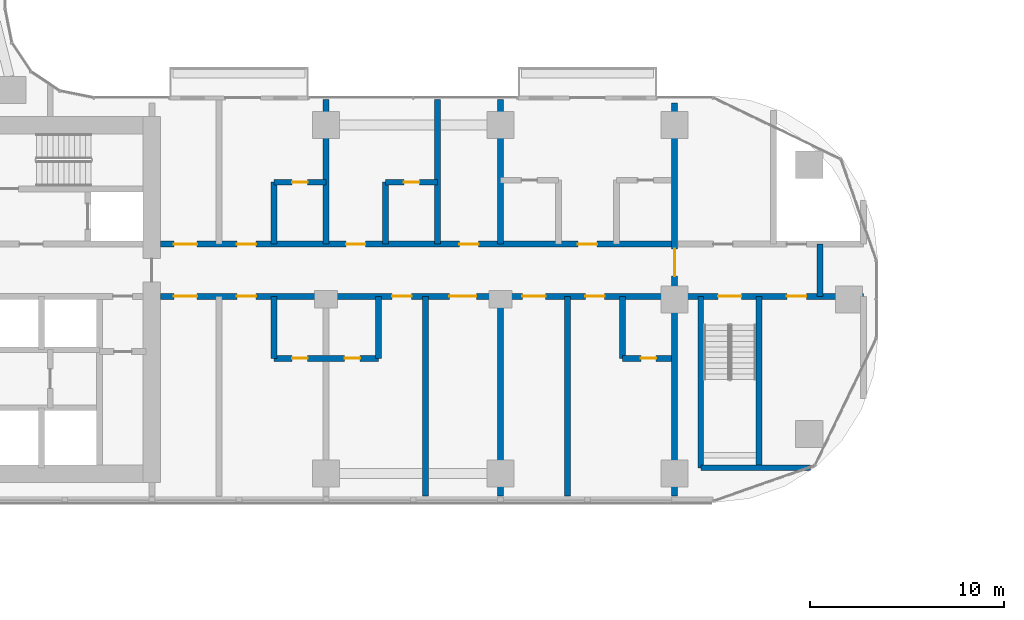
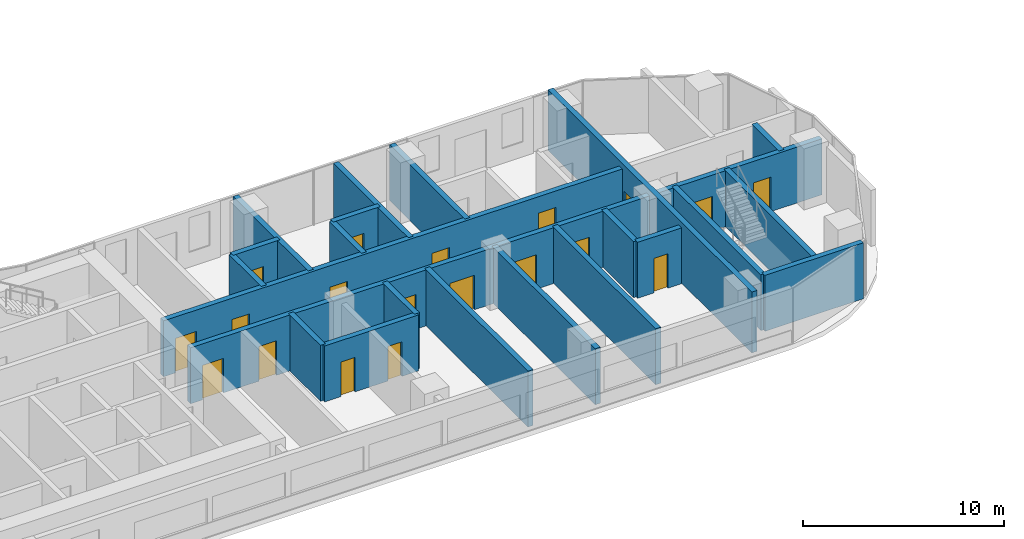
# One storey, part 16 of 31: 23 walls, 19 doors, 19 openings.
"""IFC4 building model written with IfcOpenShell, lengths in metres."""

from ifc_helpers import new_model, si_unit, direction, frame, frame_2d, origin, place, context, subcontext, project, spatial, rectangle, extrude, material, layer, layer_set, type_object, element, fill, save


model = new_model("IFC4")

# Units and contexts
model_context = context("Model", 3, precision=1e-05, world=origin(), true_north=direction((0.0, 1.0)))
body_context = subcontext(model_context, "Body", "Model", "MODEL_VIEW")
ifc_project = project(units=[si_unit("LENGTHUNIT", "METRE"), si_unit("AREAUNIT", "SQUARE_METRE"), si_unit("VOLUMEUNIT", "CUBIC_METRE"), si_unit("PLANEANGLEUNIT", "RADIAN"), si_unit("MASSUNIT", "GRAM", prefix="KILO")], contexts=[model_context])

# Site, building, storey
site_placement = place(None, origin())
site = spatial("IfcSite", under=ifc_project, at=site_placement, CompositionType="ELEMENT")
building_placement = place(site_placement, origin())
building = spatial("IfcBuilding", under=site, at=building_placement, Name="Ogive Portal Towers", CompositionType="ELEMENT")
storey_placement = place(building_placement, frame((0.0, 0.0, 74.199951171875)))
storey = spatial("IfcBuildingStorey", under=building, at=storey_placement, Name="L17", CompositionType="ELEMENT", Elevation=74.199951171875)

# Wall, opening, door
ifc_material_1 = material(Name="Concrete C60/75", Category="concrete")
ifc_layer_1 = layer(ifc_material_1, 0.300048828125)
ifc_layer_set_1 = layer_set([ifc_layer_1], Name="REVEAL WALL 300 C60")
wall_type_1 = type_object("IfcWallType", Name="REVEAL WALL 300 C60", PredefinedType="SHEAR", material=ifc_layer_set_1)
wall_1_placement = place(storey_placement, frame((85.5, 20.35009765625, 0.0), z_axis=(0.0, 0.0, 1.0), x_axis=(0.0, 1.0, 0.0)))
wall_1 = element("IfcWall", 1, at=wall_1_placement, inside=storey, type_object=wall_type_1, Name="Portal reveal wall L17", PredefinedType="SHEAR", context=body_context, shape_type="SweptSolid", body=[
    extrude(rectangle(XDim=20.2998046875, YDim=0.300048828125, at=frame_2d((10.14990234375, 0.0))), origin(), (0.0, 0.0, 1.0), 3.699951171875),
])
opening_1_placement = place(wall_1_placement, frame((11.35009765625, 0.0, 0.0)))
opening_1 = element("IfcOpeningElement", 2, at=opening_1_placement, cuts=wall_1, Name="Opening D05-066", PredefinedType="OPENING", context=body_context, shape_type="SweptSolid", body=[
    extrude(rectangle(XDim=1.39990234375, YDim=2.10009765625, at=frame_2d((0.699951171875, 1.050048828125))), frame((0.0, 0.16015625, 0.0), z_axis=(0.0, -1.0, 0.0), x_axis=(1.0, 0.0, 0.0)), (0.0, 0.0, 1.0), 0.320068359375),
])
ifc_material_2 = material(Name="Steel fire door", Category="steel")
door_type_1 = type_object("IfcDoorType", Name="DT-STAIR-1400x2100-FD90S", OperationType="SINGLE_SWING_LEFT", PredefinedType="DOOR", material=ifc_material_2)
door_1_placement = place(opening_1_placement, origin())
door_1 = element("IfcDoor", 3, at=door_1_placement, inside=storey, type_object=door_type_1, Name="Door D05-066", OperationType="SINGLE_SWING_RIGHT", OverallHeight=2.10009765625, OverallWidth=1.39990234375, PredefinedType="DOOR", context=body_context, shape_type="SweptSolid", body=[
    extrude(rectangle(XDim=1.39990234375, YDim=2.10009765625, at=frame_2d((0.699951171875, 1.050048828125))), frame((0.0, 0.02490234375, 0.0), z_axis=(0.0, -1.0, 0.0), x_axis=(1.0, 0.0, 0.0)), (0.0, 0.0, 1.0), 0.050048828125),
])
fill(opening_1, door_1)

# Wall
ifc_material_3 = material(Name="Concrete C50/60", Category="concrete")
ifc_layer_2 = layer(ifc_material_3, 0.300048828125)
ifc_layer_set_2 = layer_set([ifc_layer_2], Name="STAIR WALL 300 C50")
wall_type_2 = type_object("IfcWallType", Name="STAIR WALL 300 C50", PredefinedType="SHEAR", material=ifc_layer_set_2)
wall_2_placement = place(storey_placement, frame((86.85009765625, 21.800048828125, 0.0), z_axis=(0.0, 0.0, 1.0), x_axis=(1.0, 0.0, 0.0)))
element("IfcWall", 4, at=wall_2_placement, inside=storey, type_object=wall_type_2, Name="Stair wall ST-A4 L17", PredefinedType="SHEAR", context=body_context, shape_type="SweptSolid", body=[
    extrude(rectangle(XDim=5.664794921875, YDim=0.300048828125, at=frame_2d((2.83251953125, 0.0))), origin(), (0.0, 0.0, 1.0), 3.400146484375),
])

# Wall, openings, doors
wall_3_placement = place(storey_placement, frame((85.669921875, 30.64990234375, 0.0), z_axis=(0.0, 0.0, 1.0), x_axis=(1.0, 0.0, 0.0)))
wall_3 = element("IfcWall", 5, at=wall_3_placement, inside=storey, type_object=wall_type_2, Name="Stair wall ST-A4 L17", PredefinedType="SHEAR", context=body_context, shape_type="SweptSolid", body=[
    extrude(rectangle(XDim=9.580078125, YDim=0.300048828125, at=frame_2d((4.7900390625, 0.0))), origin(), (0.0, 0.0, 1.0), 3.400146484375),
])
opening_2_placement = place(wall_3_placement, frame((2.080078125, 0.0, 0.0)))
opening_2 = element("IfcOpeningElement", 6, at=opening_2_placement, cuts=wall_3, Name="Opening D05-061", PredefinedType="OPENING", context=body_context, shape_type="SweptSolid", body=[
    extrude(rectangle(XDim=1.199951171875, YDim=2.10009765625, at=frame_2d((0.60009765625, 1.050048828125))), frame((0.0, 0.16015625, 0.0), z_axis=(0.0, -1.0, 0.0), x_axis=(1.0, 0.0, 0.0)), (0.0, 0.0, 1.0), 0.320068359375),
])
opening_3_placement = place(wall_3_placement, frame((5.6298828125, 0.0, 0.0)))
opening_3 = element("IfcOpeningElement", 7, at=opening_3_placement, cuts=wall_3, Name="Opening D05-064", PredefinedType="OPENING", context=body_context, shape_type="SweptSolid", body=[
    extrude(rectangle(XDim=1.0, YDim=2.10009765625, at=frame_2d((0.5, 1.050048828125))), frame((0.0, 0.16015625, 0.0), z_axis=(0.0, -1.0, 0.0), x_axis=(1.0, 0.0, 0.0)), (0.0, 0.0, 1.0), 0.320068359375),
])
door_type_2 = type_object("IfcDoorType", Name="DT-SERVICE-1000x2100-FD90S", OperationType="SINGLE_SWING_LEFT", PredefinedType="DOOR", material=ifc_material_2)
door_2_placement = place(opening_3_placement, origin())
door_2 = element("IfcDoor", 8, at=door_2_placement, inside=storey, type_object=door_type_2, Name="Door D05-064", OperationType="SINGLE_SWING_LEFT", OverallHeight=2.10009765625, OverallWidth=1.0, PredefinedType="DOOR", context=body_context, shape_type="SweptSolid", body=[
    extrude(rectangle(XDim=1.0, YDim=2.10009765625, at=frame_2d((0.5, 1.050048828125))), frame((0.0, 0.02490234375, 0.0), z_axis=(0.0, -1.0, 0.0), x_axis=(1.0, 0.0, 0.0)), (0.0, 0.0, 1.0), 0.050048828125),
])
fill(opening_3, door_2)
door_type_3 = type_object("IfcDoorType", Name="DT-STAIR-1200x2100-FD90S", OperationType="SINGLE_SWING_LEFT", PredefinedType="DOOR", material=ifc_material_2)
door_3_placement = place(opening_2_placement, origin())
door_3 = element("IfcDoor", 9, at=door_3_placement, inside=storey, type_object=door_type_3, Name="Door D05-061", OperationType="SINGLE_SWING_LEFT", OverallHeight=2.10009765625, OverallWidth=1.199951171875, PredefinedType="DOOR", context=body_context, shape_type="SweptSolid", body=[
    extrude(rectangle(XDim=1.199951171875, YDim=2.10009765625, at=frame_2d((0.60009765625, 1.050048828125))), frame((0.0, 0.02490234375, 0.0), z_axis=(0.0, -1.0, 0.0), x_axis=(1.0, 0.0, 0.0)), (0.0, 0.0, 1.0), 0.050048828125),
])
fill(opening_2, door_3)

# Walls
for number, where, z_axis, x_axis, name in (
    (10, (86.85009765625, 21.800048828125, 0.0), (0.0, 0.0, 1.0), (0.0, 1.0, 0.0), "Stair wall ST-A4 L17"),
    (11, (89.85009765625, 21.800048828125, 0.0), (0.0, 0.0, 1.0), (0.0, 1.0, 0.0), "Stair wall ST-A4 L17"),
):
    element("IfcWall", number, at=place(storey_placement, frame(where, z_axis=z_axis, x_axis=x_axis)), inside=storey, type_object=wall_type_2, Name=name, PredefinedType="SHEAR", context=body_context, shape_type="SweptSolid", body=[
        extrude(rectangle(XDim=8.849853515625, YDim=0.300048828125, at=frame_2d((4.4248046875, 0.0))), origin(), (0.0, 0.0, 1.0), 3.400146484375),
    ])

# Wall, openings, doors
ifc_material_4 = material(Name="Gypsum board partition on steel studs", Category="steel")
ifc_layer_3 = layer(ifc_material_4, 0.300048828125)
ifc_layer_set_3 = layer_set([ifc_layer_3], Name="WT-PART-300-EI 120")
wall_type_3 = type_object("IfcWallType", Name="WT-PART-300-EI 120", PredefinedType="PARTITIONING", material=ifc_layer_set_3)
wall_4_placement = place(storey_placement, frame((58.949951171875, 30.64990234375, 0.0), z_axis=(0.0, 0.0, 1.0), x_axis=(1.0, 0.0, 0.0)))
wall_4 = element("IfcWall", 12, at=wall_4_placement, inside=storey, type_object=wall_type_3, Name="Wall L17:w004", PredefinedType="PARTITIONING", context=body_context, shape_type="SweptSolid", body=[
    extrude(rectangle(XDim=26.380126953125, YDim=0.300048828125, at=frame_2d((13.18994140625, 0.0))), origin(), (0.0, 0.0, 1.0), 3.400146484375),
])
opening_4_placement = place(wall_4_placement, frame((0.68505859375, 0.0, 0.0)))
opening_4 = element("IfcOpeningElement", 13, at=opening_4_placement, cuts=wall_4, Name="Opening D05-029", PredefinedType="OPENING", context=body_context, shape_type="SweptSolid", body=[
    extrude(rectangle(XDim=1.199951171875, YDim=2.10009765625, at=frame_2d((0.60009765625, 1.050048828125))), frame((0.0, 0.16015625, 0.0), z_axis=(0.0, -1.0, 0.0), x_axis=(1.0, 0.0, 0.0)), (0.0, 0.0, 1.0), 0.320068359375),
])
opening_5_placement = place(wall_4_placement, frame((3.93505859375, 0.0, 0.0)))
opening_5 = element("IfcOpeningElement", 14, at=opening_5_placement, cuts=wall_4, Name="Opening D05-031", PredefinedType="OPENING", context=body_context, shape_type="SweptSolid", body=[
    extrude(rectangle(XDim=1.0, YDim=2.10009765625, at=frame_2d((0.5, 1.050048828125))), frame((0.0, 0.16015625, 0.0), z_axis=(0.0, -1.0, 0.0), x_axis=(1.0, 0.0, 0.0)), (0.0, 0.0, 1.0), 0.320068359375),
])
opening_6_placement = place(wall_4_placement, frame((11.965087890625, 0.0, 0.0)))
opening_6 = element("IfcOpeningElement", 15, at=opening_6_placement, cuts=wall_4, Name="Opening D05-036", PredefinedType="OPENING", context=body_context, shape_type="SweptSolid", body=[
    extrude(rectangle(XDim=1.0, YDim=2.10009765625, at=frame_2d((0.5, 1.050048828125))), frame((0.0, 0.16015625, 0.0), z_axis=(0.0, -1.0, 0.0), x_axis=(1.0, 0.0, 0.0)), (0.0, 0.0, 1.0), 0.320068359375),
])
opening_7_placement = place(wall_4_placement, frame((14.9150390625, 0.0, 0.0)))
opening_7 = element("IfcOpeningElement", 16, at=opening_7_placement, cuts=wall_4, Name="Opening D05-037", PredefinedType="OPENING", context=body_context, shape_type="SweptSolid", body=[
    extrude(rectangle(XDim=1.39990234375, YDim=2.10009765625, at=frame_2d((0.699951171875, 1.050048828125))), frame((0.0, 0.16015625, 0.0), z_axis=(0.0, -1.0, 0.0), x_axis=(1.0, 0.0, 0.0)), (0.0, 0.0, 1.0), 0.320068359375),
])
opening_8_placement = place(wall_4_placement, frame((18.68505859375, 0.0, 0.0)))
opening_8 = element("IfcOpeningElement", 17, at=opening_8_placement, cuts=wall_4, Name="Opening D05-041", PredefinedType="OPENING", context=body_context, shape_type="SweptSolid", body=[
    extrude(rectangle(XDim=1.199951171875, YDim=2.10009765625, at=frame_2d((0.60009765625, 1.050048828125))), frame((0.0, 0.16015625, 0.0), z_axis=(0.0, -1.0, 0.0), x_axis=(1.0, 0.0, 0.0)), (0.0, 0.0, 1.0), 0.320068359375),
])
opening_9_placement = place(wall_4_placement, frame((21.93505859375, 0.0, 0.0)))
opening_9 = element("IfcOpeningElement", 18, at=opening_9_placement, cuts=wall_4, Name="Opening D05-043", PredefinedType="OPENING", context=body_context, shape_type="SweptSolid", body=[
    extrude(rectangle(XDim=1.0, YDim=2.10009765625, at=frame_2d((0.5, 1.050048828125))), frame((0.0, 0.16015625, 0.0), z_axis=(0.0, -1.0, 0.0), x_axis=(1.0, 0.0, 0.0)), (0.0, 0.0, 1.0), 0.320068359375),
])
door_type_4 = type_object("IfcDoorType", Name="DT-ENTRY-1000x2100-FD90S", OperationType="SINGLE_SWING_LEFT", PredefinedType="DOOR", material=ifc_material_2)
door_4_placement = place(opening_5_placement, origin())
door_4 = element("IfcDoor", 19, at=door_4_placement, inside=storey, type_object=door_type_4, Name="Door D05-031", OperationType="SINGLE_SWING_LEFT", OverallHeight=2.10009765625, OverallWidth=1.0, PredefinedType="DOOR", context=body_context, shape_type="SweptSolid", body=[
    extrude(rectangle(XDim=1.0, YDim=2.10009765625, at=frame_2d((0.5, 1.050048828125))), frame((0.0, 0.02490234375, 0.0), z_axis=(0.0, -1.0, 0.0), x_axis=(1.0, 0.0, 0.0)), (0.0, 0.0, 1.0), 0.050048828125),
])
fill(opening_5, door_4)
door_5_placement = place(opening_6_placement, origin())
door_5 = element("IfcDoor", 20, at=door_5_placement, inside=storey, type_object=door_type_4, Name="Door D05-036", OperationType="SINGLE_SWING_LEFT", OverallHeight=2.10009765625, OverallWidth=1.0, PredefinedType="DOOR", context=body_context, shape_type="SweptSolid", body=[
    extrude(rectangle(XDim=1.0, YDim=2.10009765625, at=frame_2d((0.5, 1.050048828125))), frame((0.0, 0.02490234375, 0.0), z_axis=(0.0, -1.0, 0.0), x_axis=(1.0, 0.0, 0.0)), (0.0, 0.0, 1.0), 0.050048828125),
])
fill(opening_6, door_5)
door_6_placement = place(opening_9_placement, origin())
door_6 = element("IfcDoor", 21, at=door_6_placement, inside=storey, type_object=door_type_4, Name="Door D05-043", OperationType="SINGLE_SWING_LEFT", OverallHeight=2.10009765625, OverallWidth=1.0, PredefinedType="DOOR", context=body_context, shape_type="SweptSolid", body=[
    extrude(rectangle(XDim=1.0, YDim=2.10009765625, at=frame_2d((0.5, 1.050048828125))), frame((0.0, 0.02490234375, 0.0), z_axis=(0.0, -1.0, 0.0), x_axis=(1.0, 0.0, 0.0)), (0.0, 0.0, 1.0), 0.050048828125),
])
fill(opening_9, door_6)
door_type_5 = type_object("IfcDoorType", Name="DT-ENTRY-1200x2100-FD90S", OperationType="SINGLE_SWING_LEFT", PredefinedType="DOOR", material=ifc_material_2)
door_7_placement = place(opening_4_placement, origin())
door_7 = element("IfcDoor", 22, at=door_7_placement, inside=storey, type_object=door_type_5, Name="Door D05-029", OperationType="SINGLE_SWING_LEFT", OverallHeight=2.10009765625, OverallWidth=1.199951171875, PredefinedType="DOOR", context=body_context, shape_type="SweptSolid", body=[
    extrude(rectangle(XDim=1.199951171875, YDim=2.10009765625, at=frame_2d((0.60009765625, 1.050048828125))), frame((0.0, 0.02490234375, 0.0), z_axis=(0.0, -1.0, 0.0), x_axis=(1.0, 0.0, 0.0)), (0.0, 0.0, 1.0), 0.050048828125),
])
fill(opening_4, door_7)
door_8_placement = place(opening_8_placement, origin())
door_8 = element("IfcDoor", 23, at=door_8_placement, inside=storey, type_object=door_type_5, Name="Door D05-041", OperationType="SINGLE_SWING_LEFT", OverallHeight=2.10009765625, OverallWidth=1.199951171875, PredefinedType="DOOR", context=body_context, shape_type="SweptSolid", body=[
    extrude(rectangle(XDim=1.199951171875, YDim=2.10009765625, at=frame_2d((0.60009765625, 1.050048828125))), frame((0.0, 0.02490234375, 0.0), z_axis=(0.0, -1.0, 0.0), x_axis=(1.0, 0.0, 0.0)), (0.0, 0.0, 1.0), 0.050048828125),
])
fill(opening_8, door_8)
door_type_6 = type_object("IfcDoorType", Name="DT-ENTRY-1400x2100-FD90S", OperationType="SINGLE_SWING_LEFT", PredefinedType="DOOR", material=ifc_material_2)
door_9_placement = place(opening_7_placement, origin())
door_9 = element("IfcDoor", 24, at=door_9_placement, inside=storey, type_object=door_type_6, Name="Door D05-037", OperationType="SINGLE_SWING_RIGHT", OverallHeight=2.10009765625, OverallWidth=1.39990234375, PredefinedType="DOOR", context=body_context, shape_type="SweptSolid", body=[
    extrude(rectangle(XDim=1.39990234375, YDim=2.10009765625, at=frame_2d((0.699951171875, 1.050048828125))), frame((0.0, 0.02490234375, 0.0), z_axis=(0.0, -1.0, 0.0), x_axis=(1.0, 0.0, 0.0)), (0.0, 0.0, 1.0), 0.050048828125),
])
fill(opening_7, door_9)

wall_5_placement = place(storey_placement, frame((58.949951171875, 33.35009765625, 0.0), z_axis=(0.0, 0.0, 1.0), x_axis=(1.0, 0.0, 0.0)))
wall_5 = element("IfcWall", 25, at=wall_5_placement, inside=storey, type_object=wall_type_3, Name="Wall L17:w006", PredefinedType="PARTITIONING", context=body_context, shape_type="SweptSolid", body=[
    extrude(rectangle(XDim=26.380126953125, YDim=0.300048828125, at=frame_2d((13.18994140625, 0.0))), origin(), (0.0, 0.0, 1.0), 3.400146484375),
])
opening_10_placement = place(wall_5_placement, frame((0.68505859375, 0.0, 0.0)))
opening_10 = element("IfcOpeningElement", 26, at=opening_10_placement, cuts=wall_5, Name="Opening D05-026", PredefinedType="OPENING", context=body_context, shape_type="SweptSolid", body=[
    extrude(rectangle(XDim=1.199951171875, YDim=2.10009765625, at=frame_2d((0.60009765625, 1.050048828125))), frame((0.0, 0.16015625, 0.0), z_axis=(0.0, -1.0, 0.0), x_axis=(1.0, 0.0, 0.0)), (0.0, 0.0, 1.0), 0.320068359375),
])
opening_11_placement = place(wall_5_placement, frame((3.93505859375, 0.0, 0.0)))
opening_11 = element("IfcOpeningElement", 27, at=opening_11_placement, cuts=wall_5, Name="Opening D05-028", PredefinedType="OPENING", context=body_context, shape_type="SweptSolid", body=[
    extrude(rectangle(XDim=1.0, YDim=2.10009765625, at=frame_2d((0.5, 1.050048828125))), frame((0.0, 0.16015625, 0.0), z_axis=(0.0, -1.0, 0.0), x_axis=(1.0, 0.0, 0.0)), (0.0, 0.0, 1.0), 0.320068359375),
])
opening_12_placement = place(wall_5_placement, frame((9.580078125, 0.0, 0.0)))
opening_12 = element("IfcOpeningElement", 28, at=opening_12_placement, cuts=wall_5, Name="Opening D05-033", PredefinedType="OPENING", context=body_context, shape_type="SweptSolid", body=[
    extrude(rectangle(XDim=1.0, YDim=2.10009765625, at=frame_2d((0.5, 1.050048828125))), frame((0.0, 0.16015625, 0.0), z_axis=(0.0, -1.0, 0.0), x_axis=(1.0, 0.0, 0.0)), (0.0, 0.0, 1.0), 0.320068359375),
])
opening_13_placement = place(wall_5_placement, frame((15.429931640625, 0.0, 0.0)))
opening_13 = element("IfcOpeningElement", 29, at=opening_13_placement, cuts=wall_5, Name="Opening D05-034", PredefinedType="OPENING", context=body_context, shape_type="SweptSolid", body=[
    extrude(rectangle(XDim=1.0, YDim=2.10009765625, at=frame_2d((0.5, 1.050048828125))), frame((0.0, 0.16015625, 0.0), z_axis=(0.0, -1.0, 0.0), x_axis=(1.0, 0.0, 0.0)), (0.0, 0.0, 1.0), 0.320068359375),
])
opening_14_placement = place(wall_5_placement, frame((21.550048828125, 0.0, 0.0)))
opening_14 = element("IfcOpeningElement", 30, at=opening_14_placement, cuts=wall_5, Name="Opening D05-040", PredefinedType="OPENING", context=body_context, shape_type="SweptSolid", body=[
    extrude(rectangle(XDim=1.0, YDim=2.39990234375, at=frame_2d((0.5, 1.199951171875))), frame((0.0, 0.16015625, 0.0), z_axis=(0.0, -1.0, 0.0), x_axis=(1.0, 0.0, 0.0)), (0.0, 0.0, 1.0), 0.320068359375),
])
door_10_placement = place(opening_11_placement, origin())
door_10 = element("IfcDoor", 31, at=door_10_placement, inside=storey, type_object=door_type_4, Name="Door D05-028", OperationType="SINGLE_SWING_LEFT", OverallHeight=2.10009765625, OverallWidth=1.0, PredefinedType="DOOR", context=body_context, shape_type="SweptSolid", body=[
    extrude(rectangle(XDim=1.0, YDim=2.10009765625, at=frame_2d((0.5, 1.050048828125))), frame((0.0, 0.02490234375, 0.0), z_axis=(0.0, -1.0, 0.0), x_axis=(1.0, 0.0, 0.0)), (0.0, 0.0, 1.0), 0.050048828125),
])
fill(opening_11, door_10)
door_11_placement = place(opening_12_placement, origin())
door_11 = element("IfcDoor", 32, at=door_11_placement, inside=storey, type_object=door_type_4, Name="Door D05-033", OperationType="SINGLE_SWING_LEFT", OverallHeight=2.10009765625, OverallWidth=1.0, PredefinedType="DOOR", context=body_context, shape_type="SweptSolid", body=[
    extrude(rectangle(XDim=1.0, YDim=2.10009765625, at=frame_2d((0.5, 1.050048828125))), frame((0.0, 0.02490234375, 0.0), z_axis=(0.0, -1.0, 0.0), x_axis=(1.0, 0.0, 0.0)), (0.0, 0.0, 1.0), 0.050048828125),
])
fill(opening_12, door_11)
door_12_placement = place(opening_13_placement, origin())
door_12 = element("IfcDoor", 33, at=door_12_placement, inside=storey, type_object=door_type_4, Name="Door D05-034", OperationType="SINGLE_SWING_RIGHT", OverallHeight=2.10009765625, OverallWidth=1.0, PredefinedType="DOOR", context=body_context, shape_type="SweptSolid", body=[
    extrude(rectangle(XDim=1.0, YDim=2.10009765625, at=frame_2d((0.5, 1.050048828125))), frame((0.0, 0.02490234375, 0.0), z_axis=(0.0, -1.0, 0.0), x_axis=(1.0, 0.0, 0.0)), (0.0, 0.0, 1.0), 0.050048828125),
])
fill(opening_13, door_12)
door_type_7 = type_object("IfcDoorType", Name="DT-ENTRY-1000x2400-FD90S", OperationType="SINGLE_SWING_LEFT", PredefinedType="DOOR", material=ifc_material_2)
door_13_placement = place(opening_14_placement, origin())
door_13 = element("IfcDoor", 34, at=door_13_placement, inside=storey, type_object=door_type_7, Name="Door D05-040", OperationType="SINGLE_SWING_LEFT", OverallHeight=2.39990234375, OverallWidth=1.0, PredefinedType="DOOR", context=body_context, shape_type="SweptSolid", body=[
    extrude(rectangle(XDim=1.0, YDim=2.39990234375, at=frame_2d((0.5, 1.199951171875))), frame((0.0, 0.02490234375, 0.0), z_axis=(0.0, -1.0, 0.0), x_axis=(1.0, 0.0, 0.0)), (0.0, 0.0, 1.0), 0.050048828125),
])
fill(opening_14, door_13)
door_14_placement = place(opening_10_placement, origin())
door_14 = element("IfcDoor", 35, at=door_14_placement, inside=storey, type_object=door_type_5, Name="Door D05-026", OperationType="SINGLE_SWING_LEFT", OverallHeight=2.10009765625, OverallWidth=1.199951171875, PredefinedType="DOOR", context=body_context, shape_type="SweptSolid", body=[
    extrude(rectangle(XDim=1.199951171875, YDim=2.10009765625, at=frame_2d((0.60009765625, 1.050048828125))), frame((0.0, 0.02490234375, 0.0), z_axis=(0.0, -1.0, 0.0), x_axis=(1.0, 0.0, 0.0)), (0.0, 0.0, 1.0), 0.050048828125),
])
fill(opening_10, door_14)

# Wall
wall_6_placement = place(storey_placement, frame((93.0, 30.64990234375, 0.0), z_axis=(0.0, 0.0, 1.0), x_axis=(0.0, 1.0, 0.0)))
element("IfcWall", 36, at=wall_6_placement, inside=storey, type_object=wall_type_3, Name="Wall L17:w064", PredefinedType="PARTITIONING", context=body_context, shape_type="SweptSolid", body=[
    extrude(rectangle(XDim=2.7001953125, YDim=0.300048828125, at=frame_2d((1.35009765625, 0.0))), origin(), (0.0, 0.0, 1.0), 3.400146484375),
])

# Wall, openings, doors
ifc_layer_4 = layer(ifc_material_4, 0.300048828125)
ifc_layer_set_4 = layer_set([ifc_layer_4], Name="WT-PART-300-EI 60")
wall_type_4 = type_object("IfcWallType", Name="WT-PART-300-EI 60", PredefinedType="PARTITIONING", material=ifc_layer_set_4)
wall_7_placement = place(storey_placement, frame((64.800048828125, 27.449951171875, 0.0), z_axis=(0.0, 0.0, 1.0), x_axis=(1.0, 0.0, 0.0)))
wall_7 = element("IfcWall", 37, at=wall_7_placement, inside=storey, type_object=wall_type_4, Name="Wall L17:w002", PredefinedType="PARTITIONING", context=body_context, shape_type="SweptSolid", body=[
    extrude(rectangle(XDim=5.39990234375, YDim=0.300048828125, at=frame_2d((2.699951171875, 0.0))), origin(), (0.0, 0.0, 1.0), 3.400146484375),
])
opening_15_placement = place(wall_7_placement, frame((0.949951171875, 0.0, 0.0)))
opening_15 = element("IfcOpeningElement", 38, at=opening_15_placement, cuts=wall_7, Name="Opening D05-030", PredefinedType="OPENING", context=body_context, shape_type="SweptSolid", body=[
    extrude(rectangle(XDim=0.800048828125, YDim=2.10009765625, at=frame_2d((0.39990234375, 1.050048828125))), frame((0.0, 0.16015625, 0.0), z_axis=(0.0, -1.0, 0.0), x_axis=(1.0, 0.0, 0.0)), (0.0, 0.0, 1.0), 0.320068359375),
])
opening_16_placement = place(wall_7_placement, frame((3.64990234375, 0.0, 0.0)))
opening_16 = element("IfcOpeningElement", 39, at=opening_16_placement, cuts=wall_7, Name="Opening D05-035", PredefinedType="OPENING", context=body_context, shape_type="SweptSolid", body=[
    extrude(rectangle(XDim=0.800048828125, YDim=2.10009765625, at=frame_2d((0.39990234375, 1.050048828125))), frame((0.0, 0.16015625, 0.0), z_axis=(0.0, -1.0, 0.0), x_axis=(1.0, 0.0, 0.0)), (0.0, 0.0, 1.0), 0.320068359375),
])
door_type_8 = type_object("IfcDoorType", Name="DT-BATH-800x2100-FD60S", OperationType="SINGLE_SWING_LEFT", PredefinedType="DOOR", material=ifc_material_2)
door_15_placement = place(opening_15_placement, origin())
door_15 = element("IfcDoor", 40, at=door_15_placement, inside=storey, type_object=door_type_8, Name="Door D05-030", OperationType="SINGLE_SWING_RIGHT", OverallHeight=2.10009765625, OverallWidth=0.800048828125, PredefinedType="DOOR", context=body_context, shape_type="SweptSolid", body=[
    extrude(rectangle(XDim=0.800048828125, YDim=2.10009765625, at=frame_2d((0.39990234375, 1.050048828125))), frame((0.0, 0.02490234375, 0.0), z_axis=(0.0, -1.0, 0.0), x_axis=(1.0, 0.0, 0.0)), (0.0, 0.0, 1.0), 0.050048828125),
])
fill(opening_15, door_15)
door_16_placement = place(opening_16_placement, origin())
door_16 = element("IfcDoor", 41, at=door_16_placement, inside=storey, type_object=door_type_8, Name="Door D05-035", OperationType="SINGLE_SWING_LEFT", OverallHeight=2.10009765625, OverallWidth=0.800048828125, PredefinedType="DOOR", context=body_context, shape_type="SweptSolid", body=[
    extrude(rectangle(XDim=0.800048828125, YDim=2.10009765625, at=frame_2d((0.39990234375, 1.050048828125))), frame((0.0, 0.02490234375, 0.0), z_axis=(0.0, -1.0, 0.0), x_axis=(1.0, 0.0, 0.0)), (0.0, 0.0, 1.0), 0.050048828125),
])
fill(opening_16, door_16)

# Wall, opening, door
wall_8_placement = place(storey_placement, frame((82.800048828125, 27.449951171875, 0.0), z_axis=(0.0, 0.0, 1.0), x_axis=(1.0, 0.0, 0.0)))
wall_8 = element("IfcWall", 42, at=wall_8_placement, inside=storey, type_object=wall_type_4, Name="Wall L17:w003", PredefinedType="PARTITIONING", context=body_context, shape_type="SweptSolid", body=[
    extrude(rectangle(XDim=2.530029296875, YDim=0.300048828125, at=frame_2d((1.26513671875, 0.0))), origin(), (0.0, 0.0, 1.0), 3.400146484375),
])
opening_17_placement = place(wall_8_placement, frame((0.949951171875, 0.0, 0.0)))
opening_17 = element("IfcOpeningElement", 43, at=opening_17_placement, cuts=wall_8, Name="Opening D05-042", PredefinedType="OPENING", context=body_context, shape_type="SweptSolid", body=[
    extrude(rectangle(XDim=0.800048828125, YDim=2.10009765625, at=frame_2d((0.39990234375, 1.050048828125))), frame((0.0, 0.16015625, 0.0), z_axis=(0.0, -1.0, 0.0), x_axis=(1.0, 0.0, 0.0)), (0.0, 0.0, 1.0), 0.320068359375),
])
door_17_placement = place(opening_17_placement, origin())
door_17 = element("IfcDoor", 44, at=door_17_placement, inside=storey, type_object=door_type_8, Name="Door D05-042", OperationType="SINGLE_SWING_RIGHT", OverallHeight=2.10009765625, OverallWidth=0.800048828125, PredefinedType="DOOR", context=body_context, shape_type="SweptSolid", body=[
    extrude(rectangle(XDim=0.800048828125, YDim=2.10009765625, at=frame_2d((0.39990234375, 1.050048828125))), frame((0.0, 0.02490234375, 0.0), z_axis=(0.0, -1.0, 0.0), x_axis=(1.0, 0.0, 0.0)), (0.0, 0.0, 1.0), 0.050048828125),
])
fill(opening_17, door_17)

wall_9_placement = place(storey_placement, frame((64.800048828125, 36.550048828125, 0.0), z_axis=(0.0, 0.0, 1.0), x_axis=(1.0, 0.0, 0.0)))
wall_9 = element("IfcWall", 45, at=wall_9_placement, inside=storey, type_object=wall_type_4, Name="Wall L17:w008", PredefinedType="PARTITIONING", context=body_context, shape_type="SweptSolid", body=[
    extrude(rectangle(XDim=2.699951171875, YDim=0.300048828125, at=frame_2d((1.35009765625, 0.0))), origin(), (0.0, 0.0, 1.0), 3.400146484375),
])
opening_18_placement = place(wall_9_placement, frame((0.949951171875, 0.0, 0.0)))
opening_18 = element("IfcOpeningElement", 46, at=opening_18_placement, cuts=wall_9, Name="Opening D05-027", PredefinedType="OPENING", context=body_context, shape_type="SweptSolid", body=[
    extrude(rectangle(XDim=0.800048828125, YDim=2.10009765625, at=frame_2d((0.39990234375, 1.050048828125))), frame((0.0, 0.16015625, 0.0), z_axis=(0.0, -1.0, 0.0), x_axis=(1.0, 0.0, 0.0)), (0.0, 0.0, 1.0), 0.320068359375),
])
door_18_placement = place(opening_18_placement, origin())
door_18 = element("IfcDoor", 47, at=door_18_placement, inside=storey, type_object=door_type_8, Name="Door D05-027", OperationType="SINGLE_SWING_RIGHT", OverallHeight=2.10009765625, OverallWidth=0.800048828125, PredefinedType="DOOR", context=body_context, shape_type="SweptSolid", body=[
    extrude(rectangle(XDim=0.800048828125, YDim=2.10009765625, at=frame_2d((0.39990234375, 1.050048828125))), frame((0.0, 0.02490234375, 0.0), z_axis=(0.0, -1.0, 0.0), x_axis=(1.0, 0.0, 0.0)), (0.0, 0.0, 1.0), 0.050048828125),
])
fill(opening_18, door_18)

wall_10_placement = place(storey_placement, frame((70.56005859375, 36.550048828125, 0.0), z_axis=(0.0, 0.0, 1.0), x_axis=(1.0, 0.0, 0.0)))
wall_10 = element("IfcWall", 48, at=wall_10_placement, inside=storey, type_object=wall_type_4, Name="Wall L17:w009", PredefinedType="PARTITIONING", context=body_context, shape_type="SweptSolid", body=[
    extrude(rectangle(XDim=2.699951171875, YDim=0.300048828125, at=frame_2d((1.35009765625, 0.0))), origin(), (0.0, 0.0, 1.0), 3.400146484375),
])
opening_19_placement = place(wall_10_placement, frame((0.949951171875, 0.0, 0.0)))
opening_19 = element("IfcOpeningElement", 49, at=opening_19_placement, cuts=wall_10, Name="Opening D05-032", PredefinedType="OPENING", context=body_context, shape_type="SweptSolid", body=[
    extrude(rectangle(XDim=0.800048828125, YDim=2.10009765625, at=frame_2d((0.39990234375, 1.050048828125))), frame((0.0, 0.16015625, 0.0), z_axis=(0.0, -1.0, 0.0), x_axis=(1.0, 0.0, 0.0)), (0.0, 0.0, 1.0), 0.320068359375),
])
door_19_placement = place(opening_19_placement, origin())
door_19 = element("IfcDoor", 50, at=door_19_placement, inside=storey, type_object=door_type_8, Name="Door D05-032", OperationType="SINGLE_SWING_LEFT", OverallHeight=2.10009765625, OverallWidth=0.800048828125, PredefinedType="DOOR", context=body_context, shape_type="SweptSolid", body=[
    extrude(rectangle(XDim=0.800048828125, YDim=2.10009765625, at=frame_2d((0.39990234375, 1.050048828125))), frame((0.0, 0.02490234375, 0.0), z_axis=(0.0, -1.0, 0.0), x_axis=(1.0, 0.0, 0.0)), (0.0, 0.0, 1.0), 0.050048828125),
])
fill(opening_19, door_19)

# Walls
for number, where, z_axis, x_axis, name in (
    (51, (64.800048828125, 27.449951171875, 0.0), (0.0, 0.0, 1.0), (0.0, 1.0, 0.0), "Wall L17:w047"),
    (52, (64.800048828125, 33.35009765625, 0.0), (0.0, 0.0, 1.0), (0.0, 1.0, 0.0), "Wall L17:w048"),
):
    element("IfcWall", number, at=place(storey_placement, frame(where, z_axis=z_axis, x_axis=x_axis)), inside=storey, type_object=wall_type_4, Name=name, PredefinedType="PARTITIONING", context=body_context, shape_type="SweptSolid", body=[
        extrude(rectangle(XDim=3.199951171875, YDim=0.300048828125, at=frame_2d((1.60009765625, 0.0))), origin(), (0.0, 0.0, 1.0), 3.400146484375),
    ])
wall_11_placement = place(storey_placement, frame((67.5, 33.35009765625, 0.0), z_axis=(0.0, 0.0, 1.0), x_axis=(0.0, 1.0, 0.0)))
element("IfcWall", 53, at=wall_11_placement, inside=storey, type_object=wall_type_4, Name="Wall L17:w050", PredefinedType="PARTITIONING", context=body_context, shape_type="SweptSolid", body=[
    extrude(rectangle(XDim=7.47998046875, YDim=0.300048828125, at=frame_2d((3.739990234375, 0.0))), origin(), (0.0, 0.0, 1.0), 3.400146484375),
])
for number, where, z_axis, x_axis, name in (
    (54, (70.199951171875, 27.449951171875, 0.0), (0.0, 0.0, 1.0), (0.0, 1.0, 0.0), "Wall L17:w051"),
    (55, (70.56005859375, 33.35009765625, 0.0), (0.0, 0.0, 1.0), (0.0, 1.0, 0.0), "Wall L17:w052"),
):
    element("IfcWall", number, at=place(storey_placement, frame(where, z_axis=z_axis, x_axis=x_axis)), inside=storey, type_object=wall_type_4, Name=name, PredefinedType="PARTITIONING", context=body_context, shape_type="SweptSolid", body=[
        extrude(rectangle(XDim=3.199951171875, YDim=0.300048828125, at=frame_2d((1.60009765625, 0.0))), origin(), (0.0, 0.0, 1.0), 3.400146484375),
    ])
wall_12_placement = place(storey_placement, frame((72.6298828125, 20.35009765625, 0.0), z_axis=(0.0, 0.0, 1.0), x_axis=(0.0, 1.0, 0.0)))
element("IfcWall", 56, at=wall_12_placement, inside=storey, type_object=wall_type_4, Name="Wall L17:w053", PredefinedType="PARTITIONING", context=body_context, shape_type="SweptSolid", body=[
    extrude(rectangle(XDim=10.2998046875, YDim=0.300048828125, at=frame_2d((5.14990234375, 0.0))), origin(), (0.0, 0.0, 1.0), 3.400146484375),
])
wall_13_placement = place(storey_placement, frame((73.260009765625, 33.35009765625, 0.0), z_axis=(0.0, 0.0, 1.0), x_axis=(0.0, 1.0, 0.0)))
element("IfcWall", 57, at=wall_13_placement, inside=storey, type_object=wall_type_4, Name="Wall L17:w054", PredefinedType="PARTITIONING", context=body_context, shape_type="SweptSolid", body=[
    extrude(rectangle(XDim=7.47998046875, YDim=0.300048828125, at=frame_2d((3.739990234375, 0.0))), origin(), (0.0, 0.0, 1.0), 3.400146484375),
])
wall_14_placement = place(storey_placement, frame((76.5, 20.35009765625, 0.0), z_axis=(0.0, 0.0, 1.0), x_axis=(0.0, 1.0, 0.0)))
element("IfcWall", 58, at=wall_14_placement, inside=storey, type_object=wall_type_4, Name="Wall L17:w055", PredefinedType="PARTITIONING", context=body_context, shape_type="SweptSolid", body=[
    extrude(rectangle(XDim=10.2998046875, YDim=0.300048828125, at=frame_2d((5.14990234375, 0.0))), origin(), (0.0, 0.0, 1.0), 3.400146484375),
])
wall_15_placement = place(storey_placement, frame((76.5, 33.35009765625, 0.0), z_axis=(0.0, 0.0, 1.0), x_axis=(0.0, 1.0, 0.0)))
element("IfcWall", 59, at=wall_15_placement, inside=storey, type_object=wall_type_4, Name="Wall L17:w056", PredefinedType="PARTITIONING", context=body_context, shape_type="SweptSolid", body=[
    extrude(rectangle(XDim=7.47998046875, YDim=0.300048828125, at=frame_2d((3.739990234375, 0.0))), origin(), (0.0, 0.0, 1.0), 3.400146484375),
])
wall_16_placement = place(storey_placement, frame((79.969970703125, 20.35009765625, 0.0), z_axis=(0.0, 0.0, 1.0), x_axis=(0.0, 1.0, 0.0)))
element("IfcWall", 60, at=wall_16_placement, inside=storey, type_object=wall_type_4, Name="Wall L17:w058", PredefinedType="PARTITIONING", context=body_context, shape_type="SweptSolid", body=[
    extrude(rectangle(XDim=10.2998046875, YDim=0.300048828125, at=frame_2d((5.14990234375, 0.0))), origin(), (0.0, 0.0, 1.0), 3.400146484375),
])
wall_17_placement = place(storey_placement, frame((82.800048828125, 27.449951171875, 0.0), z_axis=(0.0, 0.0, 1.0), x_axis=(0.0, 1.0, 0.0)))
element("IfcWall", 61, at=wall_17_placement, inside=storey, type_object=wall_type_4, Name="Wall L17:w060", PredefinedType="PARTITIONING", context=body_context, shape_type="SweptSolid", body=[
    extrude(rectangle(XDim=3.199951171875, YDim=0.300048828125, at=frame_2d((1.60009765625, 0.0))), origin(), (0.0, 0.0, 1.0), 3.400146484375),
])

save(model, "model.ifc")
